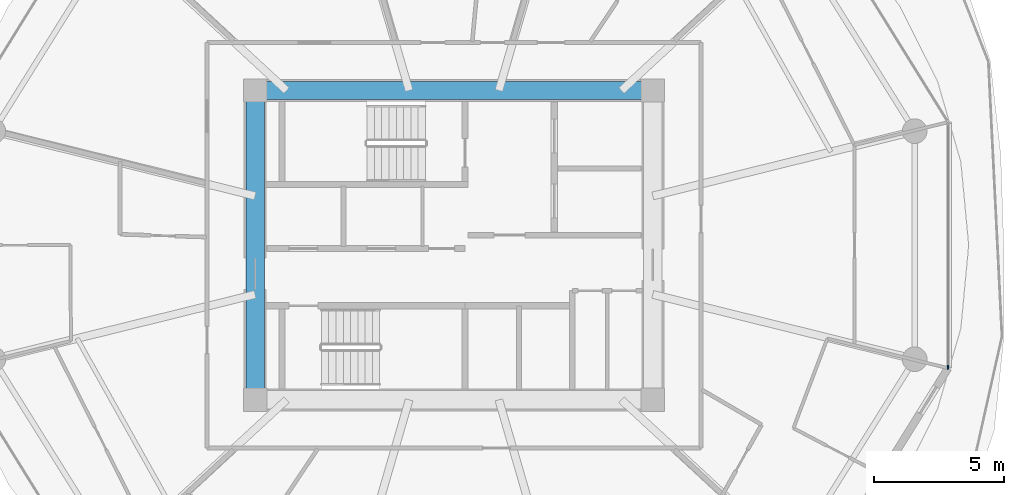
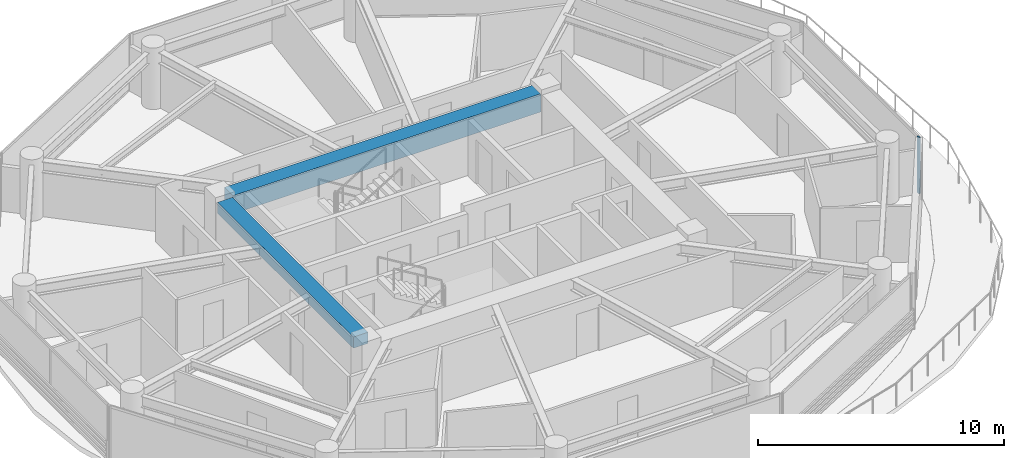
# One storey, part 11 of 27: 2 beams, 1 member, 1 element without a shape of its own.
"""IFC4 building model written with IfcOpenShell, lengths in metres."""

from ifc_helpers import new_model, si_unit, direction, frame, origin, origin_2d, place, context, subcontext, project, spatial, rectangle, extrude, source, transform, mapped, material, layer, layer_set, material_profile, profile_set, type_object, type_shapes, element, aggregate, save


model = new_model("IFC4")

# Units and contexts
model_context = context("Model", 3, precision=1e-05, world=origin(), true_north=direction((0.0, 1.0)))
body_context = subcontext(model_context, "Body", "Model", "MODEL_VIEW")
ifc_project = project(units=[si_unit("LENGTHUNIT", "METRE"), si_unit("AREAUNIT", "SQUARE_METRE"), si_unit("VOLUMEUNIT", "CUBIC_METRE"), si_unit("PLANEANGLEUNIT", "RADIAN"), si_unit("MASSUNIT", "GRAM", prefix="KILO")], contexts=[model_context])

# Site, building, storey
site_placement = place(None, origin())
site = spatial("IfcSite", under=ifc_project, at=site_placement, CompositionType="ELEMENT")
building_placement = place(site_placement, origin())
building = spatial("IfcBuilding", under=site, at=building_placement, Name="Norrkilde Senior Care Towers", CompositionType="ELEMENT")
storey_placement = place(building_placement, frame((0.0, 0.0, 33.800048828125)))
storey = spatial("IfcBuildingStorey", under=building, at=storey_placement, Name="L09", CompositionType="ELEMENT", Elevation=33.800048828125)

# Beams
ifc_material_1 = material(Name="Concrete C60/75", Category="concrete")
ifc_material_profile_1 = material_profile(ifc_material_1, rectangle(XDim=0.699951171875, YDim=0.89990234375, at=origin_2d()), Name="RC BM 700x900")
ifc_profile_set_1 = profile_set([ifc_material_profile_1], Name="Concrete C60/75")
beam_type_1 = type_object("IfcBeamType", Name="Core Coupling Girder 700x900", PredefinedType="USERDEFINED", material=ifc_profile_set_1)
shared_shape_1 = source(origin(), body_context, "Body", "SweptSolid", [
    extrude(rectangle(XDim=0.699951171875, YDim=0.89990234375, at=origin_2d()), origin(), (0.0, 0.0, 1.0), 14.43994140625),
])
type_shapes(beam_type_1, [shared_shape_1])
beam_1_placement = place(storey_placement, frame((20.780029296875, 5.949951171875, 2.33984375), z_axis=(1.0, 0.0, 0.0), x_axis=(0.0, 1.0, 0.0)))
element("IfcBeam", 1, at=beam_1_placement, inside=storey, type_object=beam_type_1, Name="L09 Core E N Coupling Girder", ObjectType="GIRDER", PredefinedType="USERDEFINED", context=body_context, shape_type="MappedRepresentation", body=[
    mapped(shared_shape_1, transform((0.0, 0.0, 0.0), x_axis=(1.0, 0.0, 0.0), y_axis=(0.0, 1.0, 0.0), z_axis=(0.0, 0.0, 1.0), scale=1.0)),
])
ifc_material_profile_2 = material_profile(ifc_material_1, rectangle(XDim=0.699951171875, YDim=0.550048828125, at=origin_2d()), Name="RC BM 700x550")
ifc_profile_set_2 = profile_set([ifc_material_profile_2], Name="Concrete C60/75")
beam_type_2 = type_object("IfcBeamType", Name="Core Portal Coupling Beam 700x550", PredefinedType="USERDEFINED", material=ifc_profile_set_2)
shared_shape_2 = source(origin(), body_context, "Body", "SweptSolid", [
    extrude(rectangle(XDim=0.699951171875, YDim=0.550048828125, at=origin_2d()), origin(), (0.0, 0.0, 1.0), 11.0400390625),
])
type_shapes(beam_type_2, [shared_shape_2])
beam_2_placement = place(storey_placement, frame((20.35009765625, -5.52001953125, 2.514892578125), z_axis=(0.0, 1.0, 0.0), x_axis=(-1.0, 0.0, 0.0)))
element("IfcBeam", 2, at=beam_2_placement, inside=storey, type_object=beam_type_2, Name="L09 Core E W Coupling Girder", ObjectType="GIRDER", PredefinedType="USERDEFINED", context=body_context, shape_type="MappedRepresentation", body=[
    mapped(shared_shape_2, transform((0.0, 0.0, 0.0), x_axis=(1.0, 0.0, 0.0), y_axis=(0.0, 1.0, 0.0), z_axis=(0.0, 0.0, 1.0), scale=1.0)),
])

# Curtain wall, member
ifc_material_2 = material(Name="Triple Low-E Insulated Glazing", Category="glass")
ifc_layer = layer(ifc_material_2, 0.199951171875)
ifc_layer_set = layer_set([ifc_layer], Name="Triple Low-E Insulated Glazing")
curtain_wall_type = type_object("IfcCurtainWallType", Name="CW2 Zone 1 Memory Care Curtain Wall", PredefinedType="NOTDEFINED", material=ifc_layer_set)
curtain_wall_placement = place(storey_placement, origin())
curtain_wall = element("IfcCurtainWall", 3, at=curtain_wall_placement, inside=storey, type_object=curtain_wall_type, Name="L09 Drum E Curtain Wall 11", PredefinedType="NOTDEFINED")
ifc_material_3 = material(Name="Anodised Aluminium", Category="aluminium")
ifc_material_profile_3 = material_profile(ifc_material_3, rectangle(XDim=0.06494140625, YDim=0.159912109375, at=origin_2d()), Name="ALU MULL 65x160")
ifc_profile_set_3 = profile_set([ifc_material_profile_3], Name="Anodised Aluminium")
member_type = type_object("IfcMemberType", Name="Curtain Wall Mullion Z1-Z2 65x160", PredefinedType="MULLION", material=ifc_profile_set_3)
shared_shape_3 = source(origin(), body_context, "Body", "SweptSolid", [
    extrude(rectangle(XDim=0.06494140625, YDim=0.159912109375, at=origin_2d()), origin(), (0.0, 0.0, 1.0), 2.7900390625),
])
type_shapes(member_type, [shared_shape_3])
member_placement = place(storey_placement, frame((47.009521484375, -4.69873046875, 0.0), z_axis=(0.0, 0.0, 1.0), x_axis=(1.0, 0.0, 0.0)))
member = element("IfcMember", 4, at=member_placement, type_object=member_type, Name="CW-2 mullion 2", PredefinedType="MULLION", context=body_context, shape_type="MappedRepresentation", body=[
    mapped(shared_shape_3, transform((0.0, 0.0, 0.0), x_axis=(1.0, 0.0, 0.0), y_axis=(0.0, 1.0, 0.0), z_axis=(0.0, 0.0, 1.0), scale=1.0)),
])
aggregate(curtain_wall, [member])

save(model, "model.ifc")
